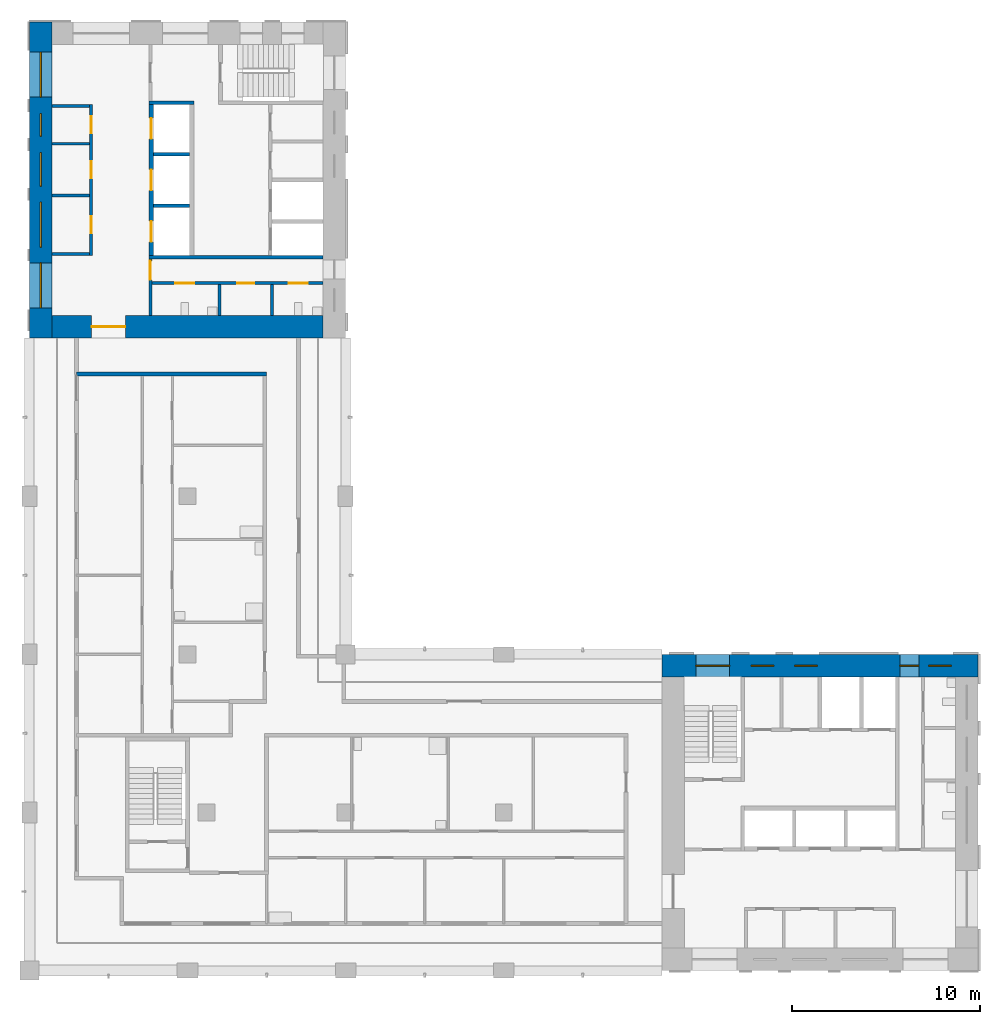
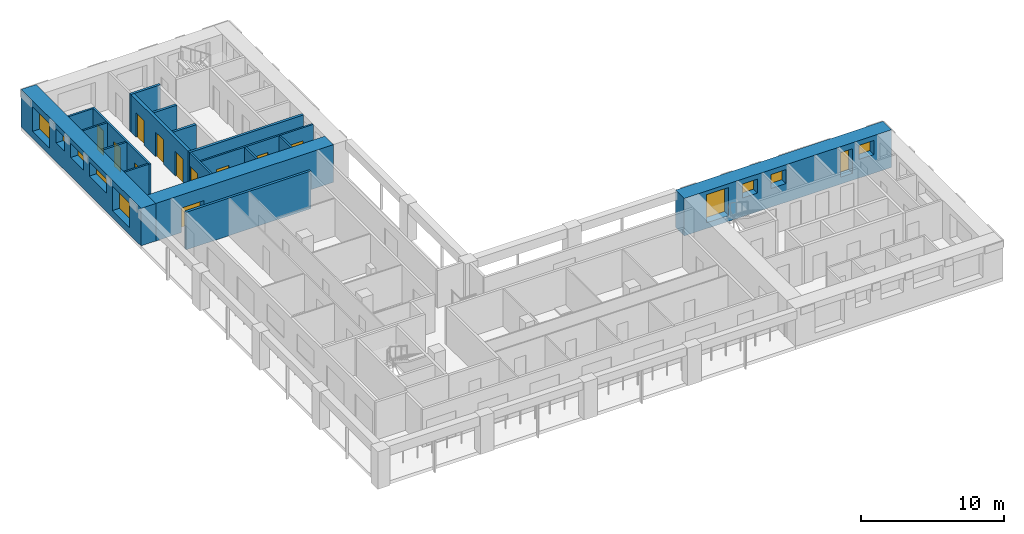
# One storey, part 5 of 9: 18 walls, 11 doors, 10 windows, 21 openings.
"""IFC4 building model written with IfcOpenShell, lengths in metres."""

from ifc_helpers import new_model, si_unit, direction, frame, frame_2d, origin, place, context, subcontext, project, spatial, rectangle, extrude, material, layer, layer_set, type_object, element, fill, save


model = new_model("IFC4")

# Units and contexts
model_context = context("Model", 3, precision=1e-05, world=origin(), true_north=direction((0.0, 1.0)))
body_context = subcontext(model_context, "Body", "Model", "MODEL_VIEW")
ifc_project = project(units=[si_unit("LENGTHUNIT", "METRE"), si_unit("AREAUNIT", "SQUARE_METRE"), si_unit("VOLUMEUNIT", "CUBIC_METRE"), si_unit("PLANEANGLEUNIT", "RADIAN"), si_unit("MASSUNIT", "GRAM", prefix="KILO")], contexts=[model_context])

# Site, building, storey
site_placement = place(None, origin())
site = spatial("IfcSite", under=ifc_project, at=site_placement, CompositionType="ELEMENT")
building_placement = place(site_placement, origin())
building = spatial("IfcBuilding", under=site, at=building_placement, Name="Vermilion Gate Residences", CompositionType="ELEMENT")
storey_placement = place(building_placement, frame((0.0, 0.0, 224.699951171875)))
storey = spatial("IfcBuildingStorey", under=building, at=storey_placement, Name="L58", CompositionType="ELEMENT", Elevation=224.699951171875)

# Walls
ifc_material_1 = material(Name="Masonry blockwork", Category="masonry")
ifc_layer_1 = layer(ifc_material_1, 0.14990234375)
ifc_layer_set_1 = layer_set([ifc_layer_1], Name="BLOCKWORK PARTITION 150 EI 120")
wall_type_1 = type_object("IfcWallType", Name="BLOCKWORK PARTITION 150 EI 120", PredefinedType="PARTITIONING", material=ifc_layer_set_1)
for number, where, z_axis, x_axis, name in (
    (1, (9.60009765625, 54.324951171875, 0.0), (0.0, 0.0, 1.0), (1.0, 0.0, 0.0), "Core room partition B58-RW-W"),
    (2, (9.60009765625, 46.47509765625, 0.0), (0.0, 0.0, 1.0), (1.0, 0.0, 0.0), "Core room partition B58-RW-E"),
    (3, (9.60009765625, 52.324951171875, 0.0), (0.0, 0.0, 1.0), (1.0, 0.0, 0.0), "Core room partition B58-SR-P0"),
    (4, (9.60009765625, 49.5849609375, 0.0), (0.0, 0.0, 1.0), (1.0, 0.0, 0.0), "Core room partition B58-SR-P1"),
):
    element("IfcWall", number, at=place(storey_placement, frame(where, z_axis=z_axis, x_axis=x_axis)), inside=storey, type_object=wall_type_1, Name=name, PredefinedType="PARTITIONING", context=body_context, shape_type="SweptSolid", body=[
        extrude(rectangle(XDim=2.0, YDim=0.14990234375, at=frame_2d((1.0, 0.0))), origin(), (0.0, 0.0, 1.0), 3.219970703125),
    ])

# Wall, openings, doors
wall_1_placement = place(storey_placement, frame((11.675048828125, 54.39990234375, 0.0), z_axis=(0.0, 0.0, 1.0), x_axis=(0.0, -1.0, 0.0)))
wall_1 = element("IfcWall", 5, at=wall_1_placement, inside=storey, type_object=wall_type_1, Name="Core room partition B58-LR-F", PredefinedType="PARTITIONING", context=body_context, shape_type="SweptSolid", body=[
    extrude(rectangle(XDim=8.0, YDim=0.14990234375, at=frame_2d((4.0, 0.0))), origin(), (0.0, 0.0, 1.0), 3.219970703125),
])
opening_1_placement = place(wall_1_placement, frame((0.625, 0.0, 0.0)))
opening_1 = element("IfcOpeningElement", 6, at=opening_1_placement, cuts=wall_1, Name="Opening DK58102", PredefinedType="OPENING", context=body_context, shape_type="SweptSolid", body=[
    extrude(rectangle(XDim=0.89990234375, YDim=2.10009765625, at=frame_2d((0.449951171875, 1.050048828125))), frame((0.0, 0.0849609375, 0.0), z_axis=(0.0, -1.0, 0.0), x_axis=(1.0, 0.0, 0.0)), (0.0, 0.0, 1.0), 0.169921875),
])
opening_2_placement = place(wall_1_placement, frame((2.9951171875, 0.0, 0.0)))
opening_2 = element("IfcOpeningElement", 7, at=opening_2_placement, cuts=wall_1, Name="Opening DK58103", PredefinedType="OPENING", context=body_context, shape_type="SweptSolid", body=[
    extrude(rectangle(XDim=0.89990234375, YDim=2.10009765625, at=frame_2d((0.449951171875, 1.050048828125))), frame((0.0, 0.0849609375, 0.0), z_axis=(0.0, -1.0, 0.0), x_axis=(1.0, 0.0, 0.0)), (0.0, 0.0, 1.0), 0.169921875),
])
opening_3_placement = place(wall_1_placement, frame((5.919921875, 0.0, 0.0)))
opening_3 = element("IfcOpeningElement", 8, at=opening_3_placement, cuts=wall_1, Name="Opening DK58104", PredefinedType="OPENING", context=body_context, shape_type="SweptSolid", body=[
    extrude(rectangle(XDim=0.89990234375, YDim=2.10009765625, at=frame_2d((0.449951171875, 1.050048828125))), frame((0.0, 0.0849609375, 0.0), z_axis=(0.0, -1.0, 0.0), x_axis=(1.0, 0.0, 0.0)), (0.0, 0.0, 1.0), 0.169921875),
])
ifc_material_2 = material(Name="Steel", Category="steel")
door_type_1 = type_object("IfcDoorType", Name="SERVICE ROOM DOOR FD60 900 X 2100", OperationType="SINGLE_SWING_LEFT", PredefinedType="DOOR", material=ifc_material_2)
door_1_placement = place(opening_1_placement, frame((0.89990234375, 0.0, 0.0), z_axis=(0.0, 0.0, 1.0), x_axis=(-1.0, 0.0, 0.0)))
door_1 = element("IfcDoor", 9, at=door_1_placement, inside=storey, type_object=door_type_1, Name="Mail room B58", OperationType="SINGLE_SWING_LEFT", OverallHeight=2.10009765625, OverallWidth=0.89990234375, PredefinedType="DOOR", context=body_context, shape_type="SweptSolid", body=[
    extrude(rectangle(XDim=0.89990234375, YDim=2.10009765625, at=frame_2d((0.449951171875, 1.050048828125))), frame((0.0, 0.02490234375, 0.0), z_axis=(0.0, -1.0, 0.0), x_axis=(1.0, 0.0, 0.0)), (0.0, 0.0, 1.0), 0.050048828125),
])
fill(opening_1, door_1)
door_2_placement = place(opening_2_placement, frame((0.89990234375, 0.0, 0.0), z_axis=(0.0, 0.0, 1.0), x_axis=(-1.0, 0.0, 0.0)))
door_2 = element("IfcDoor", 10, at=door_2_placement, inside=storey, type_object=door_type_1, Name="Cleaner's store B58", OperationType="SINGLE_SWING_LEFT", OverallHeight=2.10009765625, OverallWidth=0.89990234375, PredefinedType="DOOR", context=body_context, shape_type="SweptSolid", body=[
    extrude(rectangle(XDim=0.89990234375, YDim=2.10009765625, at=frame_2d((0.449951171875, 1.050048828125))), frame((0.0, 0.02490234375, 0.0), z_axis=(0.0, -1.0, 0.0), x_axis=(1.0, 0.0, 0.0)), (0.0, 0.0, 1.0), 0.050048828125),
])
fill(opening_2, door_2)
door_3_placement = place(opening_3_placement, origin())
door_3 = element("IfcDoor", 11, at=door_3_placement, inside=storey, type_object=door_type_1, Name="Electrical room B58", OperationType="SINGLE_SWING_LEFT", OverallHeight=2.10009765625, OverallWidth=0.89990234375, PredefinedType="DOOR", context=body_context, shape_type="SweptSolid", body=[
    extrude(rectangle(XDim=0.89990234375, YDim=2.10009765625, at=frame_2d((0.449951171875, 1.050048828125))), frame((0.0, 0.02490234375, 0.0), z_axis=(0.0, -1.0, 0.0), x_axis=(1.0, 0.0, 0.0)), (0.0, 0.0, 1.0), 0.050048828125),
])
fill(opening_3, door_3)

# Wall, opening, door
wall_2_placement = place(storey_placement, frame((14.824951171875, 46.199951171875, 0.0), z_axis=(0.0, 0.0, 1.0), x_axis=(0.0, -1.0, 0.0)))
wall_2 = element("IfcWall", 12, at=wall_2_placement, inside=storey, type_object=wall_type_1, Name="Core room partition B58-ES-S", PredefinedType="PARTITIONING", context=body_context, shape_type="SweptSolid", body=[
    extrude(rectangle(XDim=3.0, YDim=0.14990234375, at=frame_2d((1.5, 0.0))), origin(), (0.0, 0.0, 1.0), 3.219970703125),
])
opening_4_placement = place(wall_2_placement, frame((0.10009765625, 0.0, 0.0)))
opening_4 = element("IfcOpeningElement", 13, at=opening_4_placement, cuts=wall_2, Name="Opening DK58114", PredefinedType="OPENING", context=body_context, shape_type="SweptSolid", body=[
    extrude(rectangle(XDim=1.0, YDim=2.10009765625, at=frame_2d((0.5, 1.050048828125))), frame((0.0, 0.0849609375, 0.0), z_axis=(0.0, -1.0, 0.0), x_axis=(1.0, 0.0, 0.0)), (0.0, 0.0, 1.0), 0.169921875),
])
ifc_material_3 = material(Name="Steel", Category="steel")
door_type_2 = type_object("IfcDoorType", Name="FIRE DOOR FD60 1000 X 2100", OperationType="SINGLE_SWING_LEFT", PredefinedType="DOOR", material=ifc_material_3)
door_4_placement = place(opening_4_placement, frame((1.0, 0.0, 0.0), z_axis=(0.0, 0.0, 1.0), x_axis=(-1.0, 0.0, 0.0)))
door_4 = element("IfcDoor", 14, at=door_4_placement, inside=storey, type_object=door_type_2, Name="Service corridor door B58", OperationType="SINGLE_SWING_LEFT", OverallHeight=2.10009765625, OverallWidth=1.0, PredefinedType="DOOR", context=body_context, shape_type="SweptSolid", body=[
    extrude(rectangle(XDim=1.0, YDim=2.10009765625, at=frame_2d((0.5, 1.050048828125))), frame((0.0, 0.02490234375, 0.0), z_axis=(0.0, -1.0, 0.0), x_axis=(1.0, 0.0, 0.0)), (0.0, 0.0, 1.0), 0.050048828125),
])
fill(opening_4, door_4)

# Walls
for number, where, z_axis, x_axis, name in (
    (15, (18.4951171875, 44.85009765625, 0.0), (0.0, 0.0, 1.0), (0.0, -1.0, 0.0), "Core room partition B58-ES-P0"),
    (16, (21.284912109375, 44.85009765625, 0.0), (0.0, 0.0, 1.0), (0.0, -1.0, 0.0), "Core room partition B58-ES-P1"),
):
    element("IfcWall", number, at=place(storey_placement, frame(where, z_axis=z_axis, x_axis=x_axis)), inside=storey, type_object=wall_type_1, Name=name, PredefinedType="PARTITIONING", context=body_context, shape_type="SweptSolid", body=[
        extrude(rectangle(XDim=1.650146484375, YDim=0.14990234375, at=frame_2d((0.8251953125, 0.0))), origin(), (0.0, 0.0, 1.0), 3.219970703125),
    ])

# Wall, openings, doors
wall_3_placement = place(storey_placement, frame((14.89990234375, 44.925048828125, 0.0), z_axis=(0.0, 0.0, 1.0), x_axis=(1.0, 0.0, 0.0)))
wall_3 = element("IfcWall", 17, at=wall_3_placement, inside=storey, type_object=wall_type_1, Name="Core room partition B58-ES-W", PredefinedType="PARTITIONING", context=body_context, shape_type="SweptSolid", body=[
    extrude(rectangle(XDim=9.10009765625, YDim=0.14990234375, at=frame_2d((4.550048828125, 0.0))), origin(), (0.0, 0.0, 1.0), 3.219970703125),
])
opening_5_placement = place(wall_3_placement, frame((1.260009765625, 0.0, 0.0)))
opening_5 = element("IfcOpeningElement", 18, at=opening_5_placement, cuts=wall_3, Name="Opening DK58115", PredefinedType="OPENING", context=body_context, shape_type="SweptSolid", body=[
    extrude(rectangle(XDim=1.0, YDim=2.10009765625, at=frame_2d((0.5, 1.050048828125))), frame((0.0, 0.0849609375, 0.0), z_axis=(0.0, -1.0, 0.0), x_axis=(1.0, 0.0, 0.0)), (0.0, 0.0, 1.0), 0.169921875),
])
opening_6_placement = place(wall_3_placement, frame((4.5400390625, 0.0, 0.0)))
opening_6 = element("IfcOpeningElement", 19, at=opening_6_placement, cuts=wall_3, Name="Opening DK58116", PredefinedType="OPENING", context=body_context, shape_type="SweptSolid", body=[
    extrude(rectangle(XDim=0.89990234375, YDim=2.10009765625, at=frame_2d((0.449951171875, 1.050048828125))), frame((0.0, 0.0849609375, 0.0), z_axis=(0.0, -1.0, 0.0), x_axis=(1.0, 0.0, 0.0)), (0.0, 0.0, 1.0), 0.169921875),
])
opening_7_placement = place(wall_3_placement, frame((7.280029296875, 0.0, 0.0)))
opening_7 = element("IfcOpeningElement", 20, at=opening_7_placement, cuts=wall_3, Name="Opening DK58117", PredefinedType="OPENING", context=body_context, shape_type="SweptSolid", body=[
    extrude(rectangle(XDim=1.0, YDim=2.10009765625, at=frame_2d((0.5, 1.050048828125))), frame((0.0, 0.0849609375, 0.0), z_axis=(0.0, -1.0, 0.0), x_axis=(1.0, 0.0, 0.0)), (0.0, 0.0, 1.0), 0.169921875),
])
door_5_placement = place(opening_5_placement, frame((1.0, 0.0, 0.0), z_axis=(0.0, 0.0, 1.0), x_axis=(-1.0, 0.0, 0.0)))
door_5 = element("IfcDoor", 21, at=door_5_placement, inside=storey, type_object=door_type_2, Name="Accessible WC B58", OperationType="SINGLE_SWING_RIGHT", OverallHeight=2.10009765625, OverallWidth=1.0, PredefinedType="DOOR", context=body_context, shape_type="SweptSolid", body=[
    extrude(rectangle(XDim=1.0, YDim=2.10009765625, at=frame_2d((0.5, 1.050048828125))), frame((0.0, 0.02490234375, 0.0), z_axis=(0.0, -1.0, 0.0), x_axis=(1.0, 0.0, 0.0)), (0.0, 0.0, 1.0), 0.050048828125),
])
fill(opening_5, door_5)
door_6_placement = place(opening_7_placement, frame((1.0, 0.0, 0.0), z_axis=(0.0, 0.0, 1.0), x_axis=(-1.0, 0.0, 0.0)))
door_6 = element("IfcDoor", 22, at=door_6_placement, inside=storey, type_object=door_type_2, Name="Accessible WC B58", OperationType="SINGLE_SWING_RIGHT", OverallHeight=2.10009765625, OverallWidth=1.0, PredefinedType="DOOR", context=body_context, shape_type="SweptSolid", body=[
    extrude(rectangle(XDim=1.0, YDim=2.10009765625, at=frame_2d((0.5, 1.050048828125))), frame((0.0, 0.02490234375, 0.0), z_axis=(0.0, -1.0, 0.0), x_axis=(1.0, 0.0, 0.0)), (0.0, 0.0, 1.0), 0.050048828125),
])
fill(opening_7, door_6)
door_7_placement = place(opening_6_placement, frame((0.89990234375, 0.0, 0.0), z_axis=(0.0, 0.0, 1.0), x_axis=(-1.0, 0.0, 0.0)))
door_7 = element("IfcDoor", 23, at=door_7_placement, inside=storey, type_object=door_type_1, Name="Communications room B58", OperationType="SINGLE_SWING_RIGHT", OverallHeight=2.10009765625, OverallWidth=0.89990234375, PredefinedType="DOOR", context=body_context, shape_type="SweptSolid", body=[
    extrude(rectangle(XDim=0.89990234375, YDim=2.10009765625, at=frame_2d((0.449951171875, 1.050048828125))), frame((0.0, 0.02490234375, 0.0), z_axis=(0.0, -1.0, 0.0), x_axis=(1.0, 0.0, 0.0)), (0.0, 0.0, 1.0), 0.050048828125),
])
fill(opening_6, door_7)

# Walls
ifc_material_4 = material(Name="Fire-rated plasterboard on steel studs", Category="steel")
ifc_layer_2 = layer(ifc_material_4, 0.199951171875)
ifc_layer_set_2 = layer_set([ifc_layer_2], Name="PARTY WALL 200 EI 120")
wall_type_2 = type_object("IfcWallType", Name="PARTY WALL 200 EI 120", PredefinedType="PARTITIONING", material=ifc_layer_set_2)
wall_4_placement = place(storey_placement, frame((10.89990234375, 40.10009765625, 0.0), z_axis=(0.0, 0.0, 1.0), x_axis=(1.0, 0.0, 0.0)))
element("IfcWall", 24, at=wall_4_placement, inside=storey, type_object=wall_type_2, Name="Party and corridor wall", PredefinedType="PARTITIONING", context=body_context, shape_type="SweptSolid", body=[
    extrude(rectangle(XDim=10.10009765625, YDim=0.199951171875, at=frame_2d((5.050048828125, 0.0))), origin(), (0.0, 0.0, 1.0), 3.219970703125),
])
ifc_material_5 = material(Name="Concrete C60", Category="concrete")
ifc_layer_3 = layer(ifc_material_5, 0.199951171875)
ifc_layer_set_3 = layer_set([ifc_layer_3], Name="RC CORE INTERNAL WALL 200 C60")
wall_type_3 = type_object("IfcWallType", Name="RC CORE INTERNAL WALL 200 C60", PredefinedType="SHEAR", material=ifc_layer_set_3)
for number, where, z_axis, x_axis, name in (
    (25, (15.0, 51.7666015625, 0.0), (0.0, 0.0, 1.0), (1.0, 0.0, 0.0), "Core internal wall B58-HR-D1"),
    (26, (15.0, 49.033447265625, 0.0), (0.0, 0.0, 1.0), (1.0, 0.0, 0.0), "Core internal wall B58-HR-D2"),
):
    element("IfcWall", number, at=place(storey_placement, frame(where, z_axis=z_axis, x_axis=x_axis)), inside=storey, type_object=wall_type_3, Name=name, PredefinedType="SHEAR", context=body_context, shape_type="SweptSolid", body=[
        extrude(rectangle(XDim=1.89990234375, YDim=0.199951171875, at=frame_2d((0.949951171875, 0.0))), origin(), (0.0, 0.0, 1.0), 3.219970703125),
    ])
wall_5_placement = place(storey_placement, frame((14.75, 54.5, 0.0), z_axis=(0.0, 0.0, 1.0), x_axis=(1.0, 0.0, 0.0)))
element("IfcWall", 27, at=wall_5_placement, inside=storey, type_object=wall_type_3, Name="Core internal wall B58-WDIV1", PredefinedType="SHEAR", context=body_context, shape_type="SweptSolid", body=[
    extrude(rectangle(XDim=2.39990234375, YDim=0.199951171875, at=frame_2d((1.199951171875, 0.0))), origin(), (0.0, 0.0, 1.0), 3.219970703125),
])
wall_6_placement = place(storey_placement, frame((14.75, 46.300048828125, 0.0), z_axis=(0.0, 0.0, 1.0), x_axis=(1.0, 0.0, 0.0)))
element("IfcWall", 28, at=wall_6_placement, inside=storey, type_object=wall_type_3, Name="Core internal wall B58-EDIV", PredefinedType="SHEAR", context=body_context, shape_type="SweptSolid", body=[
    extrude(rectangle(XDim=9.25, YDim=0.199951171875, at=frame_2d((4.625, 0.0))), origin(), (0.0, 0.0, 1.0), 3.219970703125),
])

# Wall, opening, door
ifc_material_6 = material(Name="Concrete C50", Category="concrete")
ifc_layer_4 = layer(ifc_material_6, 1.199951171875)
ifc_layer_set_4 = layer_set([ifc_layer_4], Name="RC CORE WALL 1200 C50")
wall_type_4 = type_object("IfcWallType", Name="RC CORE WALL 1200 C50", PredefinedType="SHEAR", material=ifc_layer_set_4)
wall_7_placement = place(storey_placement, frame((9.60009765625, 42.60009765625, 0.0), z_axis=(0.0, 0.0, 1.0), x_axis=(1.0, 0.0, 0.0)))
wall_7 = element("IfcWall", 29, at=wall_7_placement, inside=storey, type_object=wall_type_4, Name="Core wall B58-OUT-BK", PredefinedType="SHEAR", context=body_context, shape_type="SweptSolid", body=[
    extrude(rectangle(XDim=14.39990234375, YDim=1.199951171875, at=frame_2d((7.199951171875, 0.0))), origin(), (0.0, 0.0, 1.0), 3.219970703125),
])
opening_8_placement = place(wall_7_placement, frame((2.10009765625, 0.0, 0.0)))
opening_8 = element("IfcOpeningElement", 30, at=opening_8_placement, cuts=wall_7, Name="Opening DK58101", PredefinedType="OPENING", context=body_context, shape_type="SweptSolid", body=[
    extrude(rectangle(XDim=1.800048828125, YDim=2.10009765625, at=frame_2d((0.89990234375, 1.050048828125))), frame((0.0, 0.60986328125, 0.0), z_axis=(0.0, -1.0, 0.0), x_axis=(1.0, 0.0, 0.0)), (0.0, 0.0, 1.0), 1.219970703125),
])
ifc_material_7 = material(Name="Steel", Category="steel")
door_type_3 = type_object("IfcDoorType", Name="CORE LOBBY DOOR FD60 1800 X 2100", OperationType="DOUBLE_DOOR_SINGLE_SWING", PredefinedType="DOOR", material=ifc_material_7)
door_8_placement = place(opening_8_placement, frame((1.800048828125, 0.0, 0.0), z_axis=(0.0, 0.0, 1.0), x_axis=(-1.0, 0.0, 0.0)))
door_8 = element("IfcDoor", 31, at=door_8_placement, inside=storey, type_object=door_type_3, Name="Core lobby door B58", OperationType="DOUBLE_DOOR_SINGLE_SWING", OverallHeight=2.10009765625, OverallWidth=1.800048828125, PredefinedType="DOOR", context=body_context, shape_type="SweptSolid", body=[
    extrude(rectangle(XDim=1.800048828125, YDim=2.10009765625, at=frame_2d((0.89990234375, 1.050048828125))), frame((0.0, 0.02490234375, 0.0), z_axis=(0.0, -1.0, 0.0), x_axis=(1.0, 0.0, 0.0)), (0.0, 0.0, 1.0), 0.050048828125),
])
fill(opening_8, door_8)

# Wall, openings, windows
ifc_material_8 = material(Name="Concrete C50 red-oxide pigmented", Category="concrete")
ifc_layer_5 = layer(ifc_material_8, 1.199951171875)
ifc_layer_set_5 = layer_set([ifc_layer_5], Name="RC CORE WALL 1200 C50 RED OXIDE")
wall_type_5 = type_object("IfcWallType", Name="RC CORE WALL 1200 C50 RED OXIDE", PredefinedType="SHEAR", material=ifc_layer_set_5)
wall_8_placement = place(storey_placement, frame((42.0, 24.60009765625, 0.0), z_axis=(0.0, 0.0, 1.0), x_axis=(1.0, 0.0, 0.0)))
wall_8 = element("IfcWall", 32, at=wall_8_placement, inside=storey, type_object=wall_type_5, Name="Core wall A58-OUT-B1", PredefinedType="SHEAR", context=body_context, shape_type="SweptSolid", body=[
    extrude(rectangle(XDim=16.800048828125, YDim=1.199951171875, at=frame_2d((8.39990234375, 0.0))), origin(), (0.0, 0.0, 1.0), 3.219970703125),
])
opening_9_placement = place(wall_8_placement, frame((1.800048828125, 0.0, 0.5)))
opening_9 = element("IfcOpeningElement", 33, at=opening_9_placement, cuts=wall_8, Name="Opening WKA5806", PredefinedType="OPENING", context=body_context, shape_type="SweptSolid", body=[
    extrude(rectangle(XDim=1.800048828125, YDim=2.39990234375, at=frame_2d((0.89990234375, 1.199951171875))), frame((0.0, 0.60986328125, 0.0), z_axis=(0.0, -1.0, 0.0), x_axis=(1.0, 0.0, 0.0)), (0.0, 0.0, 1.0), 1.219970703125),
])
opening_10_placement = place(wall_8_placement, frame((4.737548828125, 0.0, 1.60009765625)))
opening_10 = element("IfcOpeningElement", 34, at=opening_10_placement, cuts=wall_8, Name="Opening WKA5807", PredefinedType="OPENING", context=body_context, shape_type="SweptSolid", body=[
    extrude(rectangle(XDim=1.199951171875, YDim=1.199951171875, at=frame_2d((0.60009765625, 0.60009765625))), frame((0.0, 0.60986328125, 0.0), z_axis=(0.0, -1.0, 0.0), x_axis=(1.0, 0.0, 0.0)), (0.0, 0.0, 1.0), 1.219970703125),
])
opening_11_placement = place(wall_8_placement, frame((7.050048828125, 0.0, 1.60009765625)))
opening_11 = element("IfcOpeningElement", 35, at=opening_11_placement, cuts=wall_8, Name="Opening WKA5808", PredefinedType="OPENING", context=body_context, shape_type="SweptSolid", body=[
    extrude(rectangle(XDim=1.199951171875, YDim=1.199951171875, at=frame_2d((0.60009765625, 0.60009765625))), frame((0.0, 0.60986328125, 0.0), z_axis=(0.0, -1.0, 0.0), x_axis=(1.0, 0.0, 0.0)), (0.0, 0.0, 1.0), 1.219970703125),
])
opening_12_placement = place(wall_8_placement, frame((12.64990234375, 0.0, 0.60009765625)))
opening_12 = element("IfcOpeningElement", 36, at=opening_12_placement, cuts=wall_8, Name="Opening WKA5809", PredefinedType="OPENING", context=body_context, shape_type="SweptSolid", body=[
    extrude(rectangle(XDim=1.0, YDim=2.10009765625, at=frame_2d((0.5, 1.050048828125))), frame((0.0, 0.60986328125, 0.0), z_axis=(0.0, -1.0, 0.0), x_axis=(1.0, 0.0, 0.0)), (0.0, 0.0, 1.0), 1.219970703125),
])
opening_13_placement = place(wall_8_placement, frame((14.175048828125, 0.0, 1.60009765625)))
opening_13 = element("IfcOpeningElement", 37, at=opening_13_placement, cuts=wall_8, Name="Opening WKA5810", PredefinedType="OPENING", context=body_context, shape_type="SweptSolid", body=[
    extrude(rectangle(XDim=1.199951171875, YDim=1.199951171875, at=frame_2d((0.60009765625, 0.60009765625))), frame((0.0, 0.60986328125, 0.0), z_axis=(0.0, -1.0, 0.0), x_axis=(1.0, 0.0, 0.0)), (0.0, 0.0, 1.0), 1.219970703125),
])
ifc_material_9 = material(Name="Aluminium and clear glass", Category="aluminium")
window_type_1 = type_object("IfcWindowType", Name="CORE CORRIDOR WINDOW 1000 X 2100", PartitioningType="SINGLE_PANEL", PredefinedType="WINDOW", material=ifc_material_9)
window_1_placement = place(opening_12_placement, origin())
window_1 = element("IfcWindow", 38, at=window_1_placement, inside=storey, type_object=window_type_1, Name="Core corridor window", OverallHeight=2.10009765625, OverallWidth=1.0, PartitioningType="SINGLE_PANEL", PredefinedType="WINDOW", context=body_context, shape_type="SweptSolid", body=[
    extrude(rectangle(XDim=1.0, YDim=2.10009765625, at=frame_2d((0.5, 1.050048828125))), frame((0.0, 0.030029296875, 0.0), z_axis=(0.0, -1.0, 0.0), x_axis=(1.0, 0.0, 0.0)), (0.0, 0.0, 1.0), 0.06005859375),
])
fill(opening_12, window_1)
ifc_material_10 = material(Name="Aluminium frame with louvre blades", Category="aluminium")
window_type_2 = type_object("IfcWindowType", Name="CORE LOUVRE 1200 X 1200", PartitioningType="SINGLE_PANEL", PredefinedType="WINDOW", material=ifc_material_10)
window_2_placement = place(opening_10_placement, origin())
window_2 = element("IfcWindow", 39, at=window_2_placement, inside=storey, type_object=window_type_2, Name="Core louvre", OverallHeight=1.199951171875, OverallWidth=1.199951171875, PartitioningType="SINGLE_PANEL", PredefinedType="WINDOW", context=body_context, shape_type="SweptSolid", body=[
    extrude(rectangle(XDim=1.199951171875, YDim=1.199951171875, at=frame_2d((0.60009765625, 0.60009765625))), frame((0.0, 0.030029296875, 0.0), z_axis=(0.0, -1.0, 0.0), x_axis=(1.0, 0.0, 0.0)), (0.0, 0.0, 1.0), 0.06005859375),
])
fill(opening_10, window_2)
window_3_placement = place(opening_11_placement, origin())
window_3 = element("IfcWindow", 40, at=window_3_placement, inside=storey, type_object=window_type_2, Name="Core louvre", OverallHeight=1.199951171875, OverallWidth=1.199951171875, PartitioningType="SINGLE_PANEL", PredefinedType="WINDOW", context=body_context, shape_type="SweptSolid", body=[
    extrude(rectangle(XDim=1.199951171875, YDim=1.199951171875, at=frame_2d((0.60009765625, 0.60009765625))), frame((0.0, 0.030029296875, 0.0), z_axis=(0.0, -1.0, 0.0), x_axis=(1.0, 0.0, 0.0)), (0.0, 0.0, 1.0), 0.06005859375),
])
fill(opening_11, window_3)
window_4_placement = place(opening_13_placement, origin())
window_4 = element("IfcWindow", 41, at=window_4_placement, inside=storey, type_object=window_type_2, Name="Core louvre", OverallHeight=1.199951171875, OverallWidth=1.199951171875, PartitioningType="SINGLE_PANEL", PredefinedType="WINDOW", context=body_context, shape_type="SweptSolid", body=[
    extrude(rectangle(XDim=1.199951171875, YDim=1.199951171875, at=frame_2d((0.60009765625, 0.60009765625))), frame((0.0, 0.030029296875, 0.0), z_axis=(0.0, -1.0, 0.0), x_axis=(1.0, 0.0, 0.0)), (0.0, 0.0, 1.0), 0.06005859375),
])
fill(opening_13, window_4)
ifc_material_11 = material(Name="Aluminium and clear glass", Category="aluminium")
window_type_3 = type_object("IfcWindowType", Name="CORE STAIR WINDOW 1800 X 2400", PartitioningType="SINGLE_PANEL", PredefinedType="WINDOW", material=ifc_material_11)
window_5_placement = place(opening_9_placement, origin())
window_5 = element("IfcWindow", 42, at=window_5_placement, inside=storey, type_object=window_type_3, Name="Core stair window", OverallHeight=2.39990234375, OverallWidth=1.800048828125, PartitioningType="SINGLE_PANEL", PredefinedType="WINDOW", context=body_context, shape_type="SweptSolid", body=[
    extrude(rectangle(XDim=1.800048828125, YDim=2.39990234375, at=frame_2d((0.89990234375, 1.199951171875))), frame((0.0, 0.030029296875, 0.0), z_axis=(0.0, -1.0, 0.0), x_axis=(1.0, 0.0, 0.0)), (0.0, 0.0, 1.0), 0.06005859375),
])
fill(opening_9, window_5)

wall_9_placement = place(storey_placement, frame((9.0, 58.800048828125, 0.0), z_axis=(0.0, 0.0, 1.0), x_axis=(0.0, -1.0, 0.0)))
wall_9 = element("IfcWall", 43, at=wall_9_placement, inside=storey, type_object=wall_type_5, Name="Core wall B58-OUT-B0", PredefinedType="SHEAR", context=body_context, shape_type="SweptSolid", body=[
    extrude(rectangle(XDim=16.800048828125, YDim=1.199951171875, at=frame_2d((8.39990234375, 0.0))), origin(), (0.0, 0.0, 1.0), 3.219970703125),
])
opening_14_placement = place(wall_9_placement, frame((1.60009765625, 0.0, 0.60009765625)))
opening_14 = element("IfcOpeningElement", 44, at=opening_14_placement, cuts=wall_9, Name="Opening WKB5801", PredefinedType="OPENING", context=body_context, shape_type="SweptSolid", body=[
    extrude(rectangle(XDim=2.39990234375, YDim=2.10009765625, at=frame_2d((1.199951171875, 1.050048828125))), frame((0.0, 0.60986328125, 0.0), z_axis=(0.0, -1.0, 0.0), x_axis=(1.0, 0.0, 0.0)), (0.0, 0.0, 1.0), 1.219970703125),
])
opening_15_placement = place(wall_9_placement, frame((4.875, 0.0, 1.60009765625)))
opening_15 = element("IfcOpeningElement", 45, at=opening_15_placement, cuts=wall_9, Name="Opening WKB5802", PredefinedType="OPENING", context=body_context, shape_type="SweptSolid", body=[
    extrude(rectangle(XDim=1.199951171875, YDim=1.199951171875, at=frame_2d((0.60009765625, 0.60009765625))), frame((0.0, 0.60986328125, 0.0), z_axis=(0.0, -1.0, 0.0), x_axis=(1.0, 0.0, 0.0)), (0.0, 0.0, 1.0), 1.219970703125),
])
opening_16_placement = place(wall_9_placement, frame((6.945068359375, 0.0, 1.60009765625)))
opening_16 = element("IfcOpeningElement", 46, at=opening_16_placement, cuts=wall_9, Name="Opening WKB5803", PredefinedType="OPENING", context=body_context, shape_type="SweptSolid", body=[
    extrude(rectangle(XDim=1.800048828125, YDim=1.199951171875, at=frame_2d((0.89990234375, 0.60009765625))), frame((0.0, 0.60986328125, 0.0), z_axis=(0.0, -1.0, 0.0), x_axis=(1.0, 0.0, 0.0)), (0.0, 0.0, 1.0), 1.219970703125),
])
opening_17_placement = place(wall_9_placement, frame((9.570068359375, 0.0, 1.60009765625)))
opening_17 = element("IfcOpeningElement", 47, at=opening_17_placement, cuts=wall_9, Name="Opening WKB5804", PredefinedType="OPENING", context=body_context, shape_type="SweptSolid", body=[
    extrude(rectangle(XDim=2.39990234375, YDim=1.199951171875, at=frame_2d((1.199951171875, 0.60009765625))), frame((0.0, 0.60986328125, 0.0), z_axis=(0.0, -1.0, 0.0), x_axis=(1.0, 0.0, 0.0)), (0.0, 0.0, 1.0), 1.219970703125),
])
opening_18_placement = place(wall_9_placement, frame((12.800048828125, 0.0, 0.60009765625)))
opening_18 = element("IfcOpeningElement", 48, at=opening_18_placement, cuts=wall_9, Name="Opening WKB5805", PredefinedType="OPENING", context=body_context, shape_type="SweptSolid", body=[
    extrude(rectangle(XDim=2.39990234375, YDim=2.10009765625, at=frame_2d((1.199951171875, 1.050048828125))), frame((0.0, 0.60986328125, 0.0), z_axis=(0.0, -1.0, 0.0), x_axis=(1.0, 0.0, 0.0)), (0.0, 0.0, 1.0), 1.219970703125),
])
ifc_material_12 = material(Name="Aluminium and clear glass", Category="aluminium")
window_type_4 = type_object("IfcWindowType", Name="CORE LOBBY WINDOW 2400 X 2100", PartitioningType="SINGLE_PANEL", PredefinedType="WINDOW", material=ifc_material_12)
window_6_placement = place(opening_14_placement, origin())
window_6 = element("IfcWindow", 49, at=window_6_placement, inside=storey, type_object=window_type_4, Name="Core lobby window", OverallHeight=2.10009765625, OverallWidth=2.39990234375, PartitioningType="SINGLE_PANEL", PredefinedType="WINDOW", context=body_context, shape_type="SweptSolid", body=[
    extrude(rectangle(XDim=2.39990234375, YDim=2.10009765625, at=frame_2d((1.199951171875, 1.050048828125))), frame((0.0, 0.030029296875, 0.0), z_axis=(0.0, -1.0, 0.0), x_axis=(1.0, 0.0, 0.0)), (0.0, 0.0, 1.0), 0.06005859375),
])
fill(opening_14, window_6)
window_7_placement = place(opening_18_placement, origin())
window_7 = element("IfcWindow", 50, at=window_7_placement, inside=storey, type_object=window_type_4, Name="Core lobby window", OverallHeight=2.10009765625, OverallWidth=2.39990234375, PartitioningType="SINGLE_PANEL", PredefinedType="WINDOW", context=body_context, shape_type="SweptSolid", body=[
    extrude(rectangle(XDim=2.39990234375, YDim=2.10009765625, at=frame_2d((1.199951171875, 1.050048828125))), frame((0.0, 0.030029296875, 0.0), z_axis=(0.0, -1.0, 0.0), x_axis=(1.0, 0.0, 0.0)), (0.0, 0.0, 1.0), 0.06005859375),
])
fill(opening_18, window_7)
window_8_placement = place(opening_15_placement, origin())
window_8 = element("IfcWindow", 51, at=window_8_placement, inside=storey, type_object=window_type_2, Name="Core louvre", OverallHeight=1.199951171875, OverallWidth=1.199951171875, PartitioningType="SINGLE_PANEL", PredefinedType="WINDOW", context=body_context, shape_type="SweptSolid", body=[
    extrude(rectangle(XDim=1.199951171875, YDim=1.199951171875, at=frame_2d((0.60009765625, 0.60009765625))), frame((0.0, 0.030029296875, 0.0), z_axis=(0.0, -1.0, 0.0), x_axis=(1.0, 0.0, 0.0)), (0.0, 0.0, 1.0), 0.06005859375),
])
fill(opening_15, window_8)
ifc_material_13 = material(Name="Aluminium frame with louvre blades", Category="aluminium")
window_type_5 = type_object("IfcWindowType", Name="CORE LOUVRE 1800 X 1200", PartitioningType="SINGLE_PANEL", PredefinedType="WINDOW", material=ifc_material_13)
window_9_placement = place(opening_16_placement, origin())
window_9 = element("IfcWindow", 52, at=window_9_placement, inside=storey, type_object=window_type_5, Name="Core louvre", OverallHeight=1.199951171875, OverallWidth=1.800048828125, PartitioningType="SINGLE_PANEL", PredefinedType="WINDOW", context=body_context, shape_type="SweptSolid", body=[
    extrude(rectangle(XDim=1.800048828125, YDim=1.199951171875, at=frame_2d((0.89990234375, 0.60009765625))), frame((0.0, 0.030029296875, 0.0), z_axis=(0.0, -1.0, 0.0), x_axis=(1.0, 0.0, 0.0)), (0.0, 0.0, 1.0), 0.06005859375),
])
fill(opening_16, window_9)
ifc_material_14 = material(Name="Aluminium frame with louvre blades", Category="aluminium")
window_type_6 = type_object("IfcWindowType", Name="CORE LOUVRE 2400 X 1200", PartitioningType="SINGLE_PANEL", PredefinedType="WINDOW", material=ifc_material_14)
window_10_placement = place(opening_17_placement, origin())
window_10 = element("IfcWindow", 53, at=window_10_placement, inside=storey, type_object=window_type_6, Name="Core louvre", OverallHeight=1.199951171875, OverallWidth=2.39990234375, PartitioningType="SINGLE_PANEL", PredefinedType="WINDOW", context=body_context, shape_type="SweptSolid", body=[
    extrude(rectangle(XDim=2.39990234375, YDim=1.199951171875, at=frame_2d((1.199951171875, 0.60009765625))), frame((0.0, 0.030029296875, 0.0), z_axis=(0.0, -1.0, 0.0), x_axis=(1.0, 0.0, 0.0)), (0.0, 0.0, 1.0), 0.06005859375),
])
fill(opening_17, window_10)

# Wall, openings, doors
ifc_material_15 = material(Name="Concrete C60", Category="concrete")
ifc_layer_6 = layer(ifc_material_15, 0.25)
ifc_layer_set_6 = layer_set([ifc_layer_6], Name="RC LIFT SHAFT WALL 250 C60")
wall_type_6 = type_object("IfcWallType", Name="RC LIFT SHAFT WALL 250 C60", PredefinedType="SHEAR", material=ifc_layer_set_6)
wall_10_placement = place(storey_placement, frame((14.875, 54.39990234375, 0.0), z_axis=(0.0, 0.0, 1.0), x_axis=(0.0, -1.0, 0.0)))
wall_10 = element("IfcWall", 54, at=wall_10_placement, inside=storey, type_object=wall_type_6, Name="Lift shaft wall B58-HR-F", PredefinedType="SHEAR", context=body_context, shape_type="SweptSolid", body=[
    extrude(rectangle(XDim=8.0, YDim=0.25, at=frame_2d((4.0, 0.0))), origin(), (0.0, 0.0, 1.0), 3.219970703125),
])
opening_19_placement = place(wall_10_placement, frame((0.716552734375, 0.0, 0.0)))
opening_19 = element("IfcOpeningElement", 55, at=opening_19_placement, cuts=wall_10, Name="Opening LD", PredefinedType="OPENING", context=body_context, shape_type="SweptSolid", body=[
    extrude(rectangle(XDim=1.10009765625, YDim=2.10009765625, at=frame_2d((0.550048828125, 1.050048828125))), frame((0.0, 0.135009765625, 0.0), z_axis=(0.0, -1.0, 0.0), x_axis=(1.0, 0.0, 0.0)), (0.0, 0.0, 1.0), 0.27001953125),
])
opening_20_placement = place(wall_10_placement, frame((3.449951171875, 0.0, 0.0)))
opening_20 = element("IfcOpeningElement", 56, at=opening_20_placement, cuts=wall_10, Name="Opening LD", PredefinedType="OPENING", context=body_context, shape_type="SweptSolid", body=[
    extrude(rectangle(XDim=1.10009765625, YDim=2.10009765625, at=frame_2d((0.550048828125, 1.050048828125))), frame((0.0, 0.135009765625, 0.0), z_axis=(0.0, -1.0, 0.0), x_axis=(1.0, 0.0, 0.0)), (0.0, 0.0, 1.0), 0.27001953125),
])
opening_21_placement = place(wall_10_placement, frame((6.183349609375, 0.0, 0.0)))
opening_21 = element("IfcOpeningElement", 57, at=opening_21_placement, cuts=wall_10, Name="Opening LD", PredefinedType="OPENING", context=body_context, shape_type="SweptSolid", body=[
    extrude(rectangle(XDim=1.10009765625, YDim=2.10009765625, at=frame_2d((0.550048828125, 1.050048828125))), frame((0.0, 0.135009765625, 0.0), z_axis=(0.0, -1.0, 0.0), x_axis=(1.0, 0.0, 0.0)), (0.0, 0.0, 1.0), 0.27001953125),
])
ifc_material_16 = material(Name="Stainless steel", Category="steel")
door_type_4 = type_object("IfcDoorType", Name="LIFT LANDING DOOR E60 1100 X 2100", OperationType="DOUBLE_DOOR_SLIDING", PredefinedType="DOOR", material=ifc_material_16)
door_9_placement = place(opening_19_placement, origin())
door_9 = element("IfcDoor", 58, at=door_9_placement, inside=storey, type_object=door_type_4, Name="Lift landing door HRB1", OperationType="DOUBLE_DOOR_SLIDING", OverallHeight=2.10009765625, OverallWidth=1.10009765625, PredefinedType="DOOR", context=body_context, shape_type="SweptSolid", body=[
    extrude(rectangle(XDim=1.10009765625, YDim=2.10009765625, at=frame_2d((0.550048828125, 1.050048828125))), frame((0.0, 0.02490234375, 0.0), z_axis=(0.0, -1.0, 0.0), x_axis=(1.0, 0.0, 0.0)), (0.0, 0.0, 1.0), 0.050048828125),
])
fill(opening_19, door_9)
door_10_placement = place(opening_20_placement, origin())
door_10 = element("IfcDoor", 59, at=door_10_placement, inside=storey, type_object=door_type_4, Name="Lift landing door HRB2", OperationType="DOUBLE_DOOR_SLIDING", OverallHeight=2.10009765625, OverallWidth=1.10009765625, PredefinedType="DOOR", context=body_context, shape_type="SweptSolid", body=[
    extrude(rectangle(XDim=1.10009765625, YDim=2.10009765625, at=frame_2d((0.550048828125, 1.050048828125))), frame((0.0, 0.02490234375, 0.0), z_axis=(0.0, -1.0, 0.0), x_axis=(1.0, 0.0, 0.0)), (0.0, 0.0, 1.0), 0.050048828125),
])
fill(opening_20, door_10)
door_11_placement = place(opening_21_placement, origin())
door_11 = element("IfcDoor", 60, at=door_11_placement, inside=storey, type_object=door_type_4, Name="Lift landing door HRB3", OperationType="DOUBLE_DOOR_SLIDING", OverallHeight=2.10009765625, OverallWidth=1.10009765625, PredefinedType="DOOR", context=body_context, shape_type="SweptSolid", body=[
    extrude(rectangle(XDim=1.10009765625, YDim=2.10009765625, at=frame_2d((0.550048828125, 1.050048828125))), frame((0.0, 0.02490234375, 0.0), z_axis=(0.0, -1.0, 0.0), x_axis=(1.0, 0.0, 0.0)), (0.0, 0.0, 1.0), 0.050048828125),
])
fill(opening_21, door_11)

save(model, "model.ifc")
